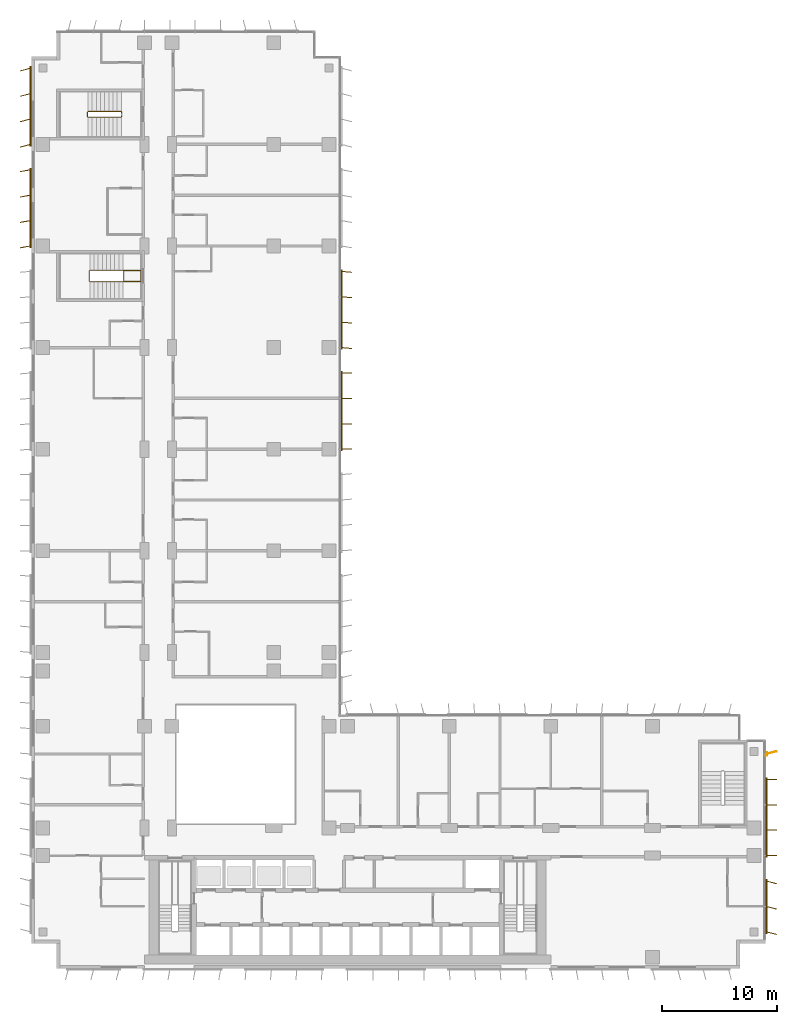
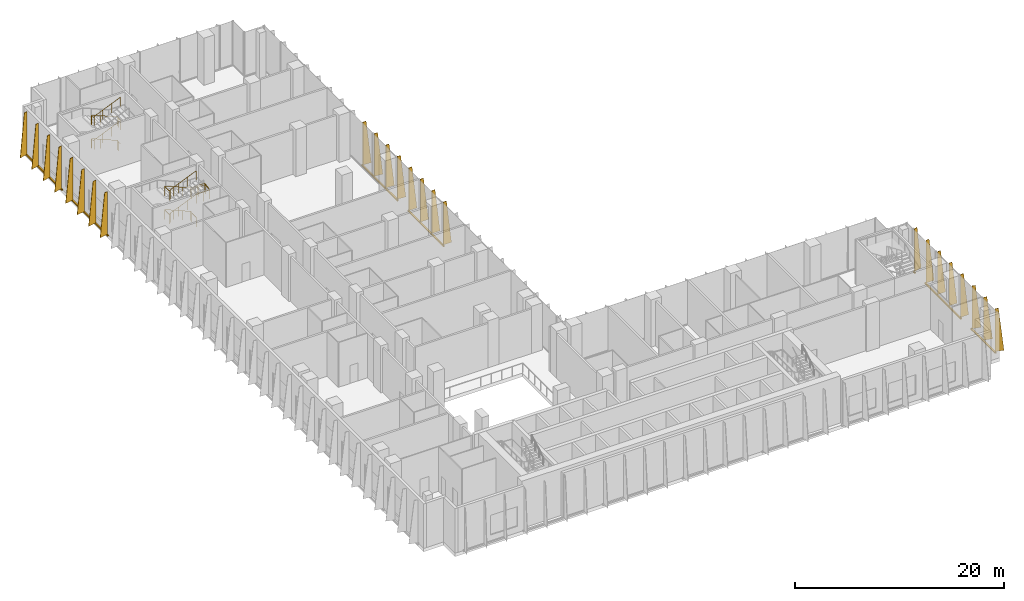
# One storey, part 24 of 26: 7 shading devices, 2 railings.
"""IFC4 building model written with IfcOpenShell, lengths in metres."""

from ifc_helpers import new_model, si_unit, direction, frame, origin, origin_2d, place, context, subcontext, project, spatial, polyline, rectangle, circle, outline, extrude, source, transform, mapped, material, layer, layer_set, type_object, element, save


model = new_model("IFC4")

# Units and contexts
model_context = context("Model", 3, precision=1e-05, world=origin(), true_north=direction((0.0, 1.0)))
body_context = subcontext(model_context, "Body", "Model", "MODEL_VIEW")
ifc_project = project(units=[si_unit("LENGTHUNIT", "METRE"), si_unit("AREAUNIT", "SQUARE_METRE"), si_unit("VOLUMEUNIT", "CUBIC_METRE"), si_unit("PLANEANGLEUNIT", "RADIAN"), si_unit("MASSUNIT", "GRAM", prefix="KILO")], contexts=[model_context])

# Site, building, storey
site_placement = place(None, origin())
site = spatial("IfcSite", under=ifc_project, at=site_placement, CompositionType="ELEMENT")
building_placement = place(site_placement, origin())
building = spatial("IfcBuilding", under=site, at=building_placement, Name="Kemantara Hotel Tower", CompositionType="ELEMENT")
storey_placement = place(building_placement, frame((0.0, 0.0, 101.89990234375)))
storey = spatial("IfcBuildingStorey", under=building, at=storey_placement, Name="L24", CompositionType="ELEMENT", Elevation=101.89990234375)

# Railings
ifc_material_1 = material(Name="Stainless steel balustrade", Category="steel")
railing_type = type_object("IfcRailingType", Name="Stair guard 1100 mm", PredefinedType="GUARDRAIL", material=ifc_material_1)
railing_1_placement = place(storey_placement, frame((7.949951171875, 59.5, 5.5)))
element("IfcRailing", 1, at=railing_1_placement, inside=storey, type_object=railing_type, Name="L24 ST4 stair guard 1", PredefinedType="GUARDRAIL", context=body_context, shape_type="SweptSolid", body=[
    extrude(circle(Radius=0.02392578125, at=origin_2d()), frame((0.0, 0.0, 1.076171875), z_axis=(-0.920535863683, 0.0, -0.390658064903), x_axis=(0.0, -1.0, 0.0)), (0.0, 0.0, 1.0), 3.12841796875),
    extrude(circle(Radius=0.02392578125, at=origin_2d()), frame((-2.8798828125, 0.0, -0.14599609375), z_axis=(-0.297155754911, 0.297155754911, -0.90741220768), x_axis=(-0.707106781187, -0.707106781187, 0.0)), (0.0, 0.0, 1.0), 0.16845703125),
    extrude(circle(Radius=0.02392578125, at=origin_2d()), frame((-2.929931640625, 0.050048828125, -0.298828125), z_axis=(0.0, 1.0, 0.0), x_axis=(-1.0, 0.0, 0.0)), (0.0, 0.0, 1.0), 0.89990234375),
    extrude(circle(Radius=0.02392578125, at=origin_2d()), frame((-2.929931640625, 0.949951171875, -0.298828125), z_axis=(0.707106781187, 0.707106781187, 0.0), x_axis=(-0.707106781187, 0.707106781187, 0.0)), (0.0, 0.0, 1.0), 0.07080078125),
    extrude(circle(Radius=0.02392578125, at=origin_2d()), frame((-2.8798828125, 1.0, -0.298828125), z_axis=(0.920535863683, 0.0, -0.390658064903), x_axis=(0.0, 1.0, 0.0)), (0.0, 0.0, 1.0), 3.12841796875),
    extrude(circle(Radius=0.02392578125, at=origin_2d()), frame((0.0, 1.0, -1.52099609375), z_axis=(1.0, 0.0, 0.0), x_axis=(0.0, 1.0, 0.0)), (0.0, 0.0, 1.0), 1.530029296875),
    extrude(circle(Radius=0.02392578125, at=origin_2d()), frame((1.530029296875, 1.0, -1.52099609375), z_axis=(0.0, -0.98730409242, -0.158841521936), x_axis=(1.0, 0.0, 0.0)), (0.0, 0.0, 1.0), 0.962158203125),
    extrude(circle(Radius=0.02392578125, at=origin_2d()), frame((1.530029296875, 0.050048828125, -1.673828125), z_axis=(-1.0, 0.0, 0.0), x_axis=(0.0, -1.0, 0.0)), (0.0, 0.0, 1.0), 1.47998046875),
    extrude(circle(Radius=0.02392578125, at=origin_2d()), frame((0.050048828125, 0.050048828125, -1.673828125), z_axis=(0.0, 1.0, 0.0), x_axis=(-1.0, 0.0, 0.0)), (0.0, 0.0, 1.0), 0.89990234375),
    extrude(circle(Radius=0.02392578125, at=origin_2d()), frame((0.050048828125, 0.949951171875, -1.673828125), z_axis=(1.0, 0.0, 0.0), x_axis=(0.0, 1.0, 0.0)), (0.0, 0.0, 1.0), 1.47998046875),
    extrude(circle(Radius=0.02392578125, at=origin_2d()), frame((1.530029296875, 0.949951171875, -1.673828125), z_axis=(0.0, -1.0, 0.0), x_axis=(1.0, 0.0, 0.0)), (0.0, 0.0, 1.0), 0.949951171875),
    extrude(circle(Radius=0.02392578125, at=origin_2d()), frame((1.530029296875, 0.0, -1.673828125), z_axis=(-1.0, 0.0, 0.0), x_axis=(0.0, -1.0, 0.0)), (0.0, 0.0, 1.0), 1.530029296875),
    extrude(circle(Radius=0.02392578125, at=origin_2d()), frame((0.0, 0.0, -1.673828125), z_axis=(-0.920535863683, 0.0, -0.390658064903), x_axis=(0.0, -1.0, 0.0)), (0.0, 0.0, 1.0), 3.12841796875),
    extrude(circle(Radius=0.02392578125, at=origin_2d()), frame((-2.8798828125, 0.0, -2.89599609375), z_axis=(-0.297155754911, 0.297155754911, -0.90741220768), x_axis=(-0.707106781187, -0.707106781187, 0.0)), (0.0, 0.0, 1.0), 0.16845703125),
    extrude(circle(Radius=0.02392578125, at=origin_2d()), frame((-2.929931640625, 0.050048828125, -3.048828125), z_axis=(0.0, 1.0, 0.0), x_axis=(-1.0, 0.0, 0.0)), (0.0, 0.0, 1.0), 0.89990234375),
    extrude(circle(Radius=0.02392578125, at=origin_2d()), frame((-2.929931640625, 0.949951171875, -3.048828125), z_axis=(0.707106781187, 0.707106781187, 0.0), x_axis=(-0.707106781187, 0.707106781187, 0.0)), (0.0, 0.0, 1.0), 0.07080078125),
    extrude(circle(Radius=0.02392578125, at=origin_2d()), frame((-2.8798828125, 1.0, -3.048828125), z_axis=(0.920535863683, 0.0, -0.390658064903), x_axis=(0.0, 1.0, 0.0)), (0.0, 0.0, 1.0), 3.12841796875),
    extrude(circle(Radius=0.02392578125, at=origin_2d()), frame((0.0, 1.0, -4.27099609375), z_axis=(0.297155754911, -0.297155754911, -0.90741220768), x_axis=(0.707106781187, 0.707106781187, 0.0)), (0.0, 0.0, 1.0), 0.16845703125),
    extrude(circle(Radius=0.02392578125, at=origin_2d()), frame((0.050048828125, 0.949951171875, -4.423828125), z_axis=(0.0, -1.0, 0.0), x_axis=(1.0, 0.0, 0.0)), (0.0, 0.0, 1.0), 0.89990234375),
    extrude(circle(Radius=0.02099609375, at=origin_2d()), origin(), (0.0, 0.0, 1.0), 1.052001953125),
    extrude(circle(Radius=0.02099609375, at=origin_2d()), frame((-0.9599609375, 0.0, -0.407470703125)), (0.0, 0.0, 1.0), 1.052001953125),
    extrude(circle(Radius=0.02099609375, at=origin_2d()), frame((-1.919921875, 0.0, -0.814697265625)), (0.0, 0.0, 1.0), 1.052001953125),
    extrude(circle(Radius=0.02099609375, at=origin_2d()), frame((-2.8798828125, 0.0, -1.22216796875)), (0.0, 0.0, 1.0), 1.052001953125),
    extrude(circle(Radius=0.02099609375, at=origin_2d()), frame((-2.929931640625, 0.050048828125, -1.375)), (0.0, 0.0, 1.0), 1.052001953125),
    extrude(circle(Radius=0.02099609375, at=origin_2d()), frame((-2.929931640625, 0.949951171875, -1.375)), (0.0, 0.0, 1.0), 1.052001953125),
    extrude(circle(Radius=0.02099609375, at=origin_2d()), frame((-2.8798828125, 1.0, -1.375)), (0.0, 0.0, 1.0), 1.052001953125),
    extrude(circle(Radius=0.02099609375, at=origin_2d()), frame((-1.919921875, 1.0, -1.782470703125)), (0.0, 0.0, 1.0), 1.052001953125),
    extrude(circle(Radius=0.02099609375, at=origin_2d()), frame((-0.9599609375, 1.0, -2.189697265625)), (0.0, 0.0, 1.0), 1.052001953125),
    extrude(circle(Radius=0.02099609375, at=origin_2d()), frame((0.0, 1.0, -2.59716796875)), (0.0, 0.0, 1.0), 1.052001953125),
    extrude(circle(Radius=0.02099609375, at=origin_2d()), frame((0.76513671875, 1.0, -2.59716796875)), (0.0, 0.0, 1.0), 1.052001953125),
    extrude(circle(Radius=0.02099609375, at=origin_2d()), frame((1.530029296875, 1.0, -2.59716796875)), (0.0, 0.0, 1.0), 1.052001953125),
    extrude(circle(Radius=0.02099609375, at=origin_2d()), frame((1.530029296875, 0.050048828125, -2.75)), (0.0, 0.0, 1.0), 1.052001953125),
    extrude(circle(Radius=0.02099609375, at=origin_2d()), frame((0.7900390625, 0.050048828125, -2.75)), (0.0, 0.0, 1.0), 1.052001953125),
    extrude(circle(Radius=0.02099609375, at=origin_2d()), frame((0.050048828125, 0.050048828125, -2.75)), (0.0, 0.0, 1.0), 1.052001953125),
    extrude(circle(Radius=0.02099609375, at=origin_2d()), frame((0.050048828125, 0.949951171875, -2.75)), (0.0, 0.0, 1.0), 1.052001953125),
    extrude(circle(Radius=0.02099609375, at=origin_2d()), frame((0.7900390625, 0.949951171875, -2.75)), (0.0, 0.0, 1.0), 1.052001953125),
    extrude(circle(Radius=0.02099609375, at=origin_2d()), frame((1.530029296875, 0.949951171875, -2.75)), (0.0, 0.0, 1.0), 1.052001953125),
    extrude(circle(Radius=0.02099609375, at=origin_2d()), frame((1.530029296875, 0.0, -2.75)), (0.0, 0.0, 1.0), 1.052001953125),
    extrude(circle(Radius=0.02099609375, at=origin_2d()), frame((0.76513671875, 0.0, -2.75)), (0.0, 0.0, 1.0), 1.052001953125),
    extrude(circle(Radius=0.02099609375, at=origin_2d()), frame((0.0, 0.0, -2.75)), (0.0, 0.0, 1.0), 1.052001953125),
    extrude(circle(Radius=0.02099609375, at=origin_2d()), frame((-0.9599609375, 0.0, -3.157470703125)), (0.0, 0.0, 1.0), 1.052001953125),
    extrude(circle(Radius=0.02099609375, at=origin_2d()), frame((-1.919921875, 0.0, -3.564697265625)), (0.0, 0.0, 1.0), 1.052001953125),
    extrude(circle(Radius=0.02099609375, at=origin_2d()), frame((-2.8798828125, 0.0, -3.97216796875)), (0.0, 0.0, 1.0), 1.052001953125),
    extrude(circle(Radius=0.02099609375, at=origin_2d()), frame((-2.929931640625, 0.050048828125, -4.125)), (0.0, 0.0, 1.0), 1.052001953125),
    extrude(circle(Radius=0.02099609375, at=origin_2d()), frame((-2.929931640625, 0.949951171875, -4.125)), (0.0, 0.0, 1.0), 1.052001953125),
    extrude(circle(Radius=0.02099609375, at=origin_2d()), frame((-2.8798828125, 1.0, -4.125)), (0.0, 0.0, 1.0), 1.052001953125),
    extrude(circle(Radius=0.02099609375, at=origin_2d()), frame((-1.919921875, 1.0, -4.532470703125)), (0.0, 0.0, 1.0), 1.052001953125),
    extrude(circle(Radius=0.02099609375, at=origin_2d()), frame((-0.9599609375, 1.0, -4.939697265625)), (0.0, 0.0, 1.0), 1.052001953125),
    extrude(circle(Radius=0.02099609375, at=origin_2d()), frame((0.0, 1.0, -5.34716796875)), (0.0, 0.0, 1.0), 1.052001953125),
    extrude(circle(Radius=0.02099609375, at=origin_2d()), frame((0.050048828125, 0.949951171875, -5.5)), (0.0, 0.0, 1.0), 1.052001953125),
    extrude(circle(Radius=0.02099609375, at=origin_2d()), frame((0.050048828125, 0.050048828125, -5.5)), (0.0, 0.0, 1.0), 1.052001953125),
])
railing_2_placement = place(storey_placement, frame((7.800048828125, 73.75, 5.5)))
element("IfcRailing", 2, at=railing_2_placement, inside=storey, type_object=railing_type, Name="L24 ST6 stair guard 1", PredefinedType="GUARDRAIL", context=body_context, shape_type="SweptSolid", body=[
    extrude(circle(Radius=0.02392578125, at=origin_2d()), frame((0.0, 0.0, 1.076171875), z_axis=(-0.920547772064, 0.0, -0.390630003133), x_axis=(0.0, -1.0, 0.0)), (0.0, 0.0, 1.0), 3.128662109375),
    extrude(circle(Radius=0.02392578125, at=origin_2d()), frame((-2.880126953125, 0.0, -0.14599609375), z_axis=(-0.295833358201, 0.297283521722, -0.907802363892), x_axis=(-0.708833529934, -0.705375805398, 0.0)), (0.0, 0.0, 1.0), 0.16845703125),
    extrude(circle(Radius=0.02392578125, at=origin_2d()), frame((-2.929931640625, 0.050048828125, -0.298828125), z_axis=(0.0, 1.0, 0.0), x_axis=(-1.0, 0.0, 0.0)), (0.0, 0.0, 1.0), 0.39990234375),
    extrude(circle(Radius=0.02392578125, at=origin_2d()), frame((-2.929931640625, 0.449951171875, -0.298828125), z_axis=(0.705375805398, 0.708833529934, 0.0), x_axis=(-0.708833529934, 0.705375805398, 0.0)), (0.0, 0.0, 1.0), 0.070556640625),
    extrude(circle(Radius=0.02392578125, at=origin_2d()), frame((-2.880126953125, 0.5, -0.298828125), z_axis=(0.920547772064, 0.0, -0.390630003133), x_axis=(0.0, 1.0, 0.0)), (0.0, 0.0, 1.0), 3.128662109375),
    extrude(circle(Radius=0.02392578125, at=origin_2d()), frame((0.0, 0.5, -1.52099609375), z_axis=(0.104742586301, -0.941661397821, -0.319848092803), x_axis=(0.993870574751, 0.110549901152, 0.0)), (0.0, 0.0, 1.0), 0.477783203125),
    extrude(circle(Radius=0.02392578125, at=origin_2d()), frame((0.050048828125, 0.050048828125, -1.673828125), z_axis=(0.0, 1.0, 0.0), x_axis=(-1.0, 0.0, 0.0)), (0.0, 0.0, 1.0), 0.39990234375),
    extrude(circle(Radius=0.02392578125, at=origin_2d()), frame((0.050048828125, 0.449951171875, -1.673828125), z_axis=(-0.110549901152, -0.993870574751, 0.0), x_axis=(0.993870574751, -0.110549901152, 0.0)), (0.0, 0.0, 1.0), 0.45263671875),
    extrude(circle(Radius=0.02392578125, at=origin_2d()), frame((0.0, 0.0, -1.673828125), z_axis=(-0.920547772064, 0.0, -0.390630003133), x_axis=(0.0, -1.0, 0.0)), (0.0, 0.0, 1.0), 3.128662109375),
    extrude(circle(Radius=0.02392578125, at=origin_2d()), frame((-2.880126953125, 0.0, -2.89599609375), z_axis=(-0.295833358201, 0.297283521722, -0.907802363892), x_axis=(-0.708833529934, -0.705375805398, 0.0)), (0.0, 0.0, 1.0), 0.16845703125),
    extrude(circle(Radius=0.02392578125, at=origin_2d()), frame((-2.929931640625, 0.050048828125, -3.048828125), z_axis=(0.0, 1.0, 0.0), x_axis=(-1.0, 0.0, 0.0)), (0.0, 0.0, 1.0), 0.39990234375),
    extrude(circle(Radius=0.02392578125, at=origin_2d()), frame((-2.929931640625, 0.449951171875, -3.048828125), z_axis=(0.705375805398, 0.708833529934, 0.0), x_axis=(-0.708833529934, 0.705375805398, 0.0)), (0.0, 0.0, 1.0), 0.070556640625),
    extrude(circle(Radius=0.02392578125, at=origin_2d()), frame((-2.880126953125, 0.5, -3.048828125), z_axis=(0.920547772064, 0.0, -0.390630003133), x_axis=(0.0, 1.0, 0.0)), (0.0, 0.0, 1.0), 3.128662109375),
    extrude(circle(Radius=0.02392578125, at=origin_2d()), frame((0.0, 0.5, -4.27099609375), z_axis=(0.297155754911, -0.297155754911, -0.90741220768), x_axis=(0.707106781187, 0.707106781187, 0.0)), (0.0, 0.0, 1.0), 0.16845703125),
    extrude(circle(Radius=0.02392578125, at=origin_2d()), frame((0.050048828125, 0.449951171875, -4.423828125), z_axis=(0.0, -1.0, 0.0), x_axis=(1.0, 0.0, 0.0)), (0.0, 0.0, 1.0), 0.39990234375),
    extrude(circle(Radius=0.02099609375, at=origin_2d()), origin(), (0.0, 0.0, 1.0), 1.052001953125),
    extrude(circle(Radius=0.02099609375, at=origin_2d()), frame((-0.9599609375, 0.0, -0.407470703125)), (0.0, 0.0, 1.0), 1.052001953125),
    extrude(circle(Radius=0.02099609375, at=origin_2d()), frame((-1.920166015625, 0.0, -0.814697265625)), (0.0, 0.0, 1.0), 1.052001953125),
    extrude(circle(Radius=0.02099609375, at=origin_2d()), frame((-2.880126953125, 0.0, -1.22216796875)), (0.0, 0.0, 1.0), 1.052001953125),
    extrude(circle(Radius=0.02099609375, at=origin_2d()), frame((-2.929931640625, 0.050048828125, -1.375)), (0.0, 0.0, 1.0), 1.052001953125),
    extrude(circle(Radius=0.02099609375, at=origin_2d()), frame((-2.929931640625, 0.449951171875, -1.375)), (0.0, 0.0, 1.0), 1.052001953125),
    extrude(circle(Radius=0.02099609375, at=origin_2d()), frame((-2.880126953125, 0.5, -1.375)), (0.0, 0.0, 1.0), 1.052001953125),
    extrude(circle(Radius=0.02099609375, at=origin_2d()), frame((-1.920166015625, 0.5, -1.782470703125)), (0.0, 0.0, 1.0), 1.052001953125),
    extrude(circle(Radius=0.02099609375, at=origin_2d()), frame((-0.9599609375, 0.5, -2.189697265625)), (0.0, 0.0, 1.0), 1.052001953125),
    extrude(circle(Radius=0.02099609375, at=origin_2d()), frame((0.0, 0.5, -2.59716796875)), (0.0, 0.0, 1.0), 1.052001953125),
    extrude(circle(Radius=0.02099609375, at=origin_2d()), frame((0.050048828125, 0.050048828125, -2.75)), (0.0, 0.0, 1.0), 1.052001953125),
    extrude(circle(Radius=0.02099609375, at=origin_2d()), frame((0.050048828125, 0.449951171875, -2.75)), (0.0, 0.0, 1.0), 1.052001953125),
    extrude(circle(Radius=0.02099609375, at=origin_2d()), frame((0.0, 0.0, -2.75)), (0.0, 0.0, 1.0), 1.052001953125),
    extrude(circle(Radius=0.02099609375, at=origin_2d()), frame((-0.9599609375, 0.0, -3.157470703125)), (0.0, 0.0, 1.0), 1.052001953125),
    extrude(circle(Radius=0.02099609375, at=origin_2d()), frame((-1.920166015625, 0.0, -3.564697265625)), (0.0, 0.0, 1.0), 1.052001953125),
    extrude(circle(Radius=0.02099609375, at=origin_2d()), frame((-2.880126953125, 0.0, -3.97216796875)), (0.0, 0.0, 1.0), 1.052001953125),
    extrude(circle(Radius=0.02099609375, at=origin_2d()), frame((-2.929931640625, 0.050048828125, -4.125)), (0.0, 0.0, 1.0), 1.052001953125),
    extrude(circle(Radius=0.02099609375, at=origin_2d()), frame((-2.929931640625, 0.449951171875, -4.125)), (0.0, 0.0, 1.0), 1.052001953125),
    extrude(circle(Radius=0.02099609375, at=origin_2d()), frame((-2.880126953125, 0.5, -4.125)), (0.0, 0.0, 1.0), 1.052001953125),
    extrude(circle(Radius=0.02099609375, at=origin_2d()), frame((-1.920166015625, 0.5, -4.532470703125)), (0.0, 0.0, 1.0), 1.052001953125),
    extrude(circle(Radius=0.02099609375, at=origin_2d()), frame((-0.9599609375, 0.5, -4.939697265625)), (0.0, 0.0, 1.0), 1.052001953125),
    extrude(circle(Radius=0.02099609375, at=origin_2d()), frame((0.0, 0.5, -5.34716796875)), (0.0, 0.0, 1.0), 1.052001953125),
    extrude(circle(Radius=0.02099609375, at=origin_2d()), frame((0.050048828125, 0.449951171875, -5.5)), (0.0, 0.0, 1.0), 1.052001953125),
    extrude(circle(Radius=0.02099609375, at=origin_2d()), frame((0.050048828125, 0.050048828125, -5.5)), (0.0, 0.0, 1.0), 1.052001953125),
])

# Shading devices
ifc_material_2 = material(Name="Perforated aluminium plate 4 mm bronze anodised", Category="aluminium")
ifc_layer_1 = layer(ifc_material_2, 0.0400390625)
ifc_layer_set_1 = layer_set([ifc_layer_1], Name="Perforated aluminium plate 4 mm bronze anodised")
shading_device_type_1 = type_object("IfcShadingDeviceType", Name="SCREEN FIN CASSETTE, 4 BLADES AT +0.0 DEG, 5000 HIGH", PredefinedType="USERDEFINED", material=ifc_layer_set_1)
shared_shape_1 = source(origin(), body_context, "Body", "SweptSolid", [
    extrude(rectangle(XDim=6.89990234375, YDim=0.14990234375, at=origin_2d()), frame((3.300048828125, -0.074951171875, -0.14990234375), z_axis=(0.0, 0.0, 1.0), x_axis=(1.0, 0.0, 0.0)), (0.0, 0.0, 1.0), 0.14990234375),
    extrude(outline(polyline([(0.0, 0.0), (0.89990234375, 0.0), (0.35009765625, 5.0), (0.0, 5.0), (0.0, 0.0)])), frame((0.02001953125, -0.074951171875, 0.0), z_axis=(-1.0, 0.0, 0.0), x_axis=(0.0, -1.0, 0.0)), (0.0, 0.0, 1.0), 0.0400390625),
    extrude(outline(polyline([(0.0, 0.0), (0.89990234375, 0.0), (0.35009765625, 5.0), (0.0, 5.0), (0.0, 0.0)])), frame((2.219970703125, -0.074951171875, 0.0), z_axis=(-1.0, 0.0, 0.0), x_axis=(0.0, -1.0, 0.0)), (0.0, 0.0, 1.0), 0.0400390625),
    extrude(outline(polyline([(0.0, 0.0), (0.89990234375, 0.0), (0.35009765625, 5.0), (0.0, 5.0), (0.0, 0.0)])), frame((4.419921875, -0.074951171875, 0.0), z_axis=(-1.0, 0.0, 0.0), x_axis=(0.0, -1.0, 0.0)), (0.0, 0.0, 1.0), 0.0400390625),
    extrude(outline(polyline([(0.0, 0.0), (0.89990234375, 0.0), (0.35009765625, 5.0), (0.0, 5.0), (0.0, 0.0)])), frame((6.6201171875, -0.074951171875, 0.0), z_axis=(-1.0, 0.0, 0.0), x_axis=(0.0, -1.0, 0.0)), (0.0, 0.0, 1.0), 0.0400390625),
])
for number, where, z_axis, x_axis, name in (
    (3, (63.60009765625, 9.800048828125, 0.10009765625), (0.0, 0.0, 1.0), (0.0, 1.0, 0.0), "SCREEN FIN CASSETTE L24 T2-R10-2"),
    (4, (26.800048828125, 45.0, 0.10009765625), (0.0, 0.0, 1.0), (0.0, 1.0, 0.0), "SCREEN FIN CASSETTE L24 T2-R14-4"),
):
    element("IfcShadingDevice", number, at=place(storey_placement, frame(where, z_axis=z_axis, x_axis=x_axis)), inside=storey, type_object=shading_device_type_1, Name=name, ObjectType="SCREEN FIN", PredefinedType="USERDEFINED", context=body_context, shape_type="MappedRepresentation", body=[
        mapped(shared_shape_1, transform((0.0, 0.0, 0.0))),
    ])
ifc_layer_2 = layer(ifc_material_2, 0.0400390625)
ifc_layer_set_2 = layer_set([ifc_layer_2], Name="Perforated aluminium plate 4 mm bronze anodised")
shading_device_type_2 = type_object("IfcShadingDeviceType", Name="SCREEN FIN CASSETTE, 3 BLADES AT -15.0 DEG, 5000 HIGH", PredefinedType="USERDEFINED", material=ifc_layer_set_2)
shared_shape_2 = source(origin(), body_context, "Body", "SweptSolid", [
    extrude(rectangle(XDim=4.699951171875, YDim=0.14990234375, at=origin_2d()), frame((2.199951171875, -0.074951171875, -0.14990234375), z_axis=(0.0, 0.0, 1.0), x_axis=(1.0, 0.0, 0.0)), (0.0, 0.0, 1.0), 0.14990234375),
    extrude(outline(polyline([(0.0, 0.0), (0.89990234375, 0.0), (0.35009765625, 5.0), (0.0, 5.0), (0.0, 0.0)])), frame((0.019287109375, -0.080078125, 0.0), z_axis=(-0.966437683387, 0.256901156343, 0.0), x_axis=(-0.256901156343, -0.966437683387, 0.0)), (0.0, 0.0, 1.0), 0.039794921875),
    extrude(outline(polyline([(0.0, 0.0), (0.89990234375, 0.0), (0.35009765625, 5.0), (0.0, 5.0), (0.0, 0.0)])), frame((2.21923828125, -0.080078125, 0.0), z_axis=(-0.966437683387, 0.256901156343, 0.0), x_axis=(-0.256901156343, -0.966437683387, 0.0)), (0.0, 0.0, 1.0), 0.039794921875),
    extrude(outline(polyline([(0.0, 0.0), (0.89990234375, 0.0), (0.35009765625, 5.0), (0.0, 5.0), (0.0, 0.0)])), frame((4.41943359375, -0.080078125, 0.0), z_axis=(-0.966837822169, 0.255391122837, 0.0), x_axis=(-0.255391122837, -0.966837822169, 0.0)), (0.0, 0.0, 1.0), 0.0400390625),
])
shading_device_1_placement = place(storey_placement, frame((63.60009765625, 3.199951171875, 0.10009765625), z_axis=(0.0, 0.0, 1.0), x_axis=(0.0, 1.0, 0.0)))
element("IfcShadingDevice", 5, at=shading_device_1_placement, inside=storey, type_object=shading_device_type_2, Name="SCREEN FIN CASSETTE L24 T2-R10-1", ObjectType="SCREEN FIN", PredefinedType="USERDEFINED", context=body_context, shape_type="MappedRepresentation", body=[
    mapped(shared_shape_2, transform((0.0, 0.0, 0.0))),
])
ifc_layer_3 = layer(ifc_material_2, 0.0400390625)
ifc_layer_set_3 = layer_set([ifc_layer_3], Name="Perforated aluminium plate 4 mm bronze anodised")
shading_device_type_3 = type_object("IfcShadingDeviceType", Name="SCREEN FIN CASSETTE, 4 BLADES AT +15.0 DEG, 5000 HIGH", PredefinedType="USERDEFINED", material=ifc_layer_set_3)
shared_shape_3 = source(origin(), body_context, "Body", "SweptSolid", [
    extrude(rectangle(XDim=6.89990234375, YDim=0.14990234375, at=origin_2d()), frame((3.300048828125, -0.074951171875, -0.14990234375), z_axis=(0.0, 0.0, 1.0), x_axis=(1.0, 0.0, 0.0)), (0.0, 0.0, 1.0), 0.14990234375),
    extrude(outline(polyline([(0.0, 0.0), (0.89990234375, 0.0), (0.35009765625, 5.0), (0.0, 5.0), (0.0, 0.0)])), frame((0.019287109375, -0.06982421875, 0.0), z_axis=(-0.966437683387, -0.256901156343, 0.0), x_axis=(0.256901156343, -0.966437683387, 0.0)), (0.0, 0.0, 1.0), 0.039794921875),
    extrude(outline(polyline([(0.0, 0.0), (0.89990234375, 0.0), (0.35009765625, 5.0), (0.0, 5.0), (0.0, 0.0)])), frame((2.21923828125, -0.06982421875, 0.0), z_axis=(-0.966437683387, -0.256901156343, 0.0), x_axis=(0.256901156343, -0.966437683387, 0.0)), (0.0, 0.0, 1.0), 0.039794921875),
    extrude(outline(polyline([(0.0, 0.0), (0.89990234375, 0.0), (0.35009765625, 5.0), (0.0, 5.0), (0.0, 0.0)])), frame((4.41943359375, -0.06982421875, 0.0), z_axis=(-0.966837822169, -0.255391122837, 0.0), x_axis=(0.255391122837, -0.966837822169, 0.0)), (0.0, 0.0, 1.0), 0.0400390625),
    extrude(outline(polyline([(0.0, 0.0), (0.89990234375, 0.0), (0.35009765625, 5.0), (0.0, 5.0), (0.0, 0.0)])), frame((6.619384765625, -0.06982421875, 0.0), z_axis=(-0.966837822169, -0.255391122837, 0.0), x_axis=(0.255391122837, -0.966837822169, 0.0)), (0.0, 0.0, 1.0), 0.0400390625),
])
shading_device_2_placement = place(storey_placement, frame((0.0, 78.0, 0.10009765625), z_axis=(0.0, 0.0, 1.0), x_axis=(0.0, -1.0, 0.0)))
element("IfcShadingDevice", 6, at=shading_device_2_placement, inside=storey, type_object=shading_device_type_3, Name="SCREEN FIN CASSETTE L24 T2-R04-1", ObjectType="SCREEN FIN", PredefinedType="USERDEFINED", context=body_context, shape_type="MappedRepresentation", body=[
    mapped(shared_shape_3, transform((0.0, 0.0, 0.0))),
])
ifc_layer_4 = layer(ifc_material_2, 0.0400390625)
ifc_layer_set_4 = layer_set([ifc_layer_4], Name="Perforated aluminium plate 4 mm bronze anodised")
shading_device_type_4 = type_object("IfcShadingDeviceType", Name="SCREEN FIN CASSETTE, 4 BLADES AT +10.0 DEG, 5000 HIGH", PredefinedType="USERDEFINED", material=ifc_layer_set_4)
shared_shape_4 = source(origin(), body_context, "Body", "SweptSolid", [
    extrude(rectangle(XDim=6.89990234375, YDim=0.14990234375, at=origin_2d()), frame((3.300048828125, -0.074951171875, -0.14990234375), z_axis=(0.0, 0.0, 1.0), x_axis=(1.0, 0.0, 0.0)), (0.0, 0.0, 1.0), 0.14990234375),
    extrude(outline(polyline([(0.0, 0.0), (0.89990234375, 0.0), (0.35009765625, 5.0), (0.0, 5.0), (0.0, 0.0)])), frame((0.019775390625, -0.071533203125, 0.0), z_axis=(-0.985389793052, -0.170314285219, 0.0), x_axis=(0.170314285219, -0.985389793052, 0.0)), (0.0, 0.0, 1.0), 0.0400390625),
    extrude(outline(polyline([(0.0, 0.0), (0.89990234375, 0.0), (0.35009765625, 5.0), (0.0, 5.0), (0.0, 0.0)])), frame((2.2197265625, -0.071533203125, 0.0), z_axis=(-0.98521175482, -0.171341174751, 0.0), x_axis=(0.171341174751, -0.98521175482, 0.0)), (0.0, 0.0, 1.0), 0.039794921875),
    extrude(outline(polyline([(0.0, 0.0), (0.89990234375, 0.0), (0.35009765625, 5.0), (0.0, 5.0), (0.0, 0.0)])), frame((4.419677734375, -0.071533203125, 0.0), z_axis=(-0.98521175482, -0.171341174751, 0.0), x_axis=(0.171341174751, -0.98521175482, 0.0)), (0.0, 0.0, 1.0), 0.039794921875),
    extrude(outline(polyline([(0.0, 0.0), (0.89990234375, 0.0), (0.35009765625, 5.0), (0.0, 5.0), (0.0, 0.0)])), frame((6.61962890625, -0.071533203125, 0.0), z_axis=(-0.98521175482, -0.171341174751, 0.0), x_axis=(0.171341174751, -0.98521175482, 0.0)), (0.0, 0.0, 1.0), 0.039794921875),
])
shading_device_3_placement = place(storey_placement, frame((0.0, 69.199951171875, 0.10009765625), z_axis=(0.0, 0.0, 1.0), x_axis=(0.0, -1.0, 0.0)))
element("IfcShadingDevice", 7, at=shading_device_3_placement, inside=storey, type_object=shading_device_type_4, Name="SCREEN FIN CASSETTE L24 T2-R04-2", ObjectType="SCREEN FIN", PredefinedType="USERDEFINED", context=body_context, shape_type="MappedRepresentation", body=[
    mapped(shared_shape_4, transform((0.0, 0.0, 0.0))),
])
ifc_layer_5 = layer(ifc_material_2, 0.0400390625)
ifc_layer_set_5 = layer_set([ifc_layer_5], Name="Perforated aluminium plate 4 mm bronze anodised")
shading_device_type_5 = type_object("IfcShadingDeviceType", Name="SCREEN FIN CASSETTE, 4 BLADES AT -5.0 DEG, 5000 HIGH", PredefinedType="USERDEFINED", material=ifc_layer_set_5)
shared_shape_5 = source(origin(), body_context, "Body", "SweptSolid", [
    extrude(rectangle(XDim=6.89990234375, YDim=0.14990234375, at=origin_2d()), frame((3.300048828125, -0.074951171875, -0.14990234375), z_axis=(0.0, 0.0, 1.0), x_axis=(1.0, 0.0, 0.0)), (0.0, 0.0, 1.0), 0.14990234375),
    extrude(outline(polyline([(0.0, 0.0), (0.89990234375, 0.0), (0.35009765625, 5.0), (0.0, 5.0), (0.0, 0.0)])), frame((0.02001953125, -0.07666015625, 0.0), z_axis=(-0.996376129781, 0.085056498884, 0.0), x_axis=(-0.085056498884, -0.996376129781, 0.0)), (0.0, 0.0, 1.0), 0.040283203125),
    extrude(outline(polyline([(0.0, 0.0), (0.89990234375, 0.0), (0.35009765625, 5.0), (0.0, 5.0), (0.0, 0.0)])), frame((2.219970703125, -0.07666015625, 0.0), z_axis=(-0.996331773833, 0.085574508182, 0.0), x_axis=(-0.085574508182, -0.996331773833, 0.0)), (0.0, 0.0, 1.0), 0.0400390625),
    extrude(outline(polyline([(0.0, 0.0), (0.89990234375, 0.0), (0.35009765625, 5.0), (0.0, 5.0), (0.0, 0.0)])), frame((4.419921875, -0.07666015625, 0.0), z_axis=(-0.996331773833, 0.085574508182, 0.0), x_axis=(-0.085574508182, -0.996331773833, 0.0)), (0.0, 0.0, 1.0), 0.0400390625),
    extrude(outline(polyline([(0.0, 0.0), (0.89990234375, 0.0), (0.35009765625, 5.0), (0.0, 5.0), (0.0, 0.0)])), frame((6.619873046875, -0.07666015625, 0.0), z_axis=(-0.996331773833, 0.085574508182, 0.0), x_axis=(-0.085574508182, -0.996331773833, 0.0)), (0.0, 0.0, 1.0), 0.0400390625),
])
shading_device_4_placement = place(storey_placement, frame((26.800048828125, 53.800048828125, 0.10009765625), z_axis=(0.0, 0.0, 1.0), x_axis=(0.0, 1.0, 0.0)))
element("IfcShadingDevice", 8, at=shading_device_4_placement, inside=storey, type_object=shading_device_type_5, Name="SCREEN FIN CASSETTE L24 T2-R14-5", ObjectType="SCREEN FIN", PredefinedType="USERDEFINED", context=body_context, shape_type="MappedRepresentation", body=[
    mapped(shared_shape_5, transform((0.0, 0.0, 0.0))),
])
ifc_layer_6 = layer(ifc_material_2, 0.0400390625)
ifc_layer_set_6 = layer_set([ifc_layer_6], Name="Perforated aluminium plate 4 mm bronze anodised")
shading_device_type_6 = type_object("IfcShadingDeviceType", Name="SCREEN FIN CASSETTE, 1 BLADE AT +15.0 DEG, 5000 HIGH", PredefinedType="USERDEFINED", material=ifc_layer_set_6)
shared_shape_6 = source(origin(), body_context, "Body", "SweptSolid", [
    extrude(rectangle(XDim=0.300048828125, YDim=0.14990234375, at=origin_2d()), frame((0.0, -0.074951171875, -0.14990234375), z_axis=(0.0, 0.0, 1.0), x_axis=(1.0, 0.0, 0.0)), (0.0, 0.0, 1.0), 0.14990234375),
    extrude(outline(polyline([(0.0, 0.0), (0.89990234375, 0.0), (0.35009765625, 5.0), (0.0, 5.0), (0.0, 0.0)])), frame((0.019287109375, -0.06982421875, 0.0), z_axis=(-0.966437683387, -0.256901156343, 0.0), x_axis=(0.256901156343, -0.966437683387, 0.0)), (0.0, 0.0, 1.0), 0.039794921875),
])
shading_device_5_placement = place(storey_placement, frame((63.60009765625, 18.60009765625, 0.10009765625), z_axis=(0.0, 0.0, 1.0), x_axis=(0.0, 1.0, 0.0)))
element("IfcShadingDevice", 9, at=shading_device_5_placement, inside=storey, type_object=shading_device_type_6, Name="SCREEN FIN CASSETTE L24 T2-R10-3", ObjectType="SCREEN FIN", PredefinedType="USERDEFINED", context=body_context, shape_type="MappedRepresentation", body=[
    mapped(shared_shape_6, transform((0.0, 0.0, 0.0))),
])

save(model, "model.ifc")
